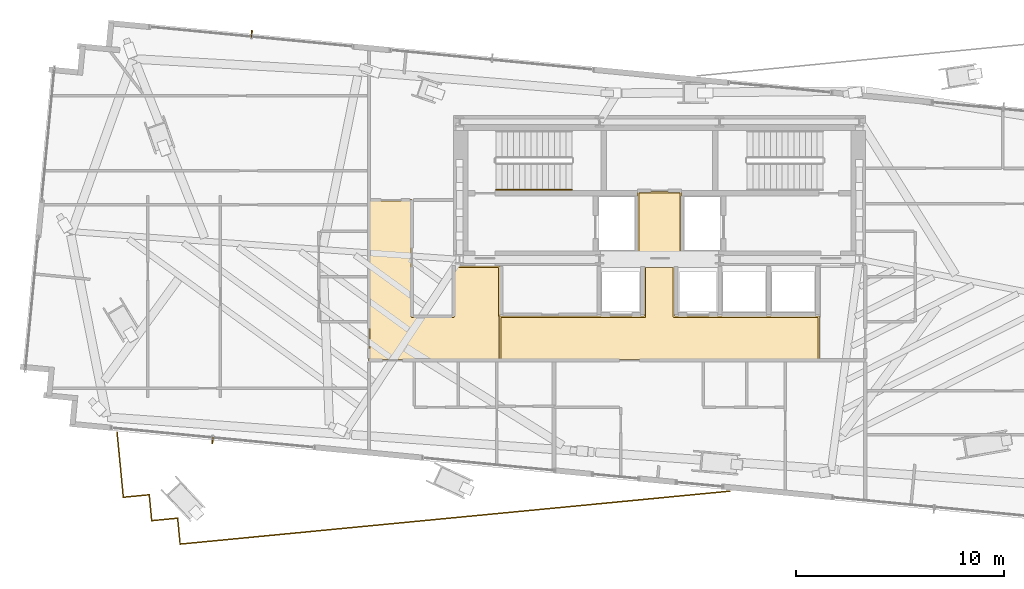
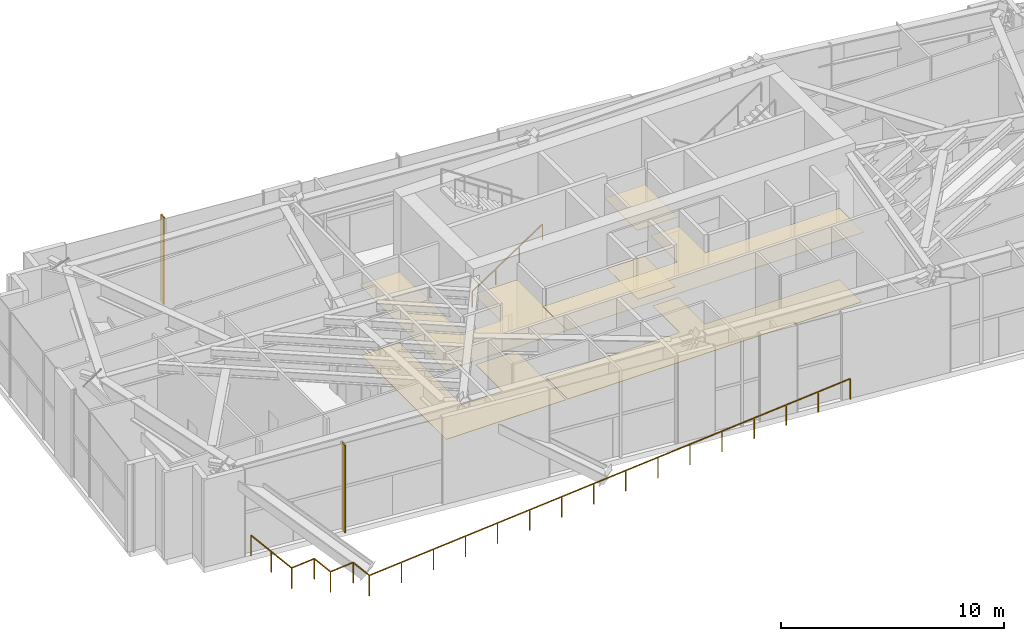
# One storey, part 20 of 23: 6 coverings, 3 railings, 2 shading devices.
"""IFC4 building model written with IfcOpenShell, lengths in metres."""

import ifcopenshell
import ifcopenshell.guid

model = None  # the IFC model being written
_history = None  # IfcOwnerHistory: only IFC2X3 demands one
_inside = {}  # id of a spatial element -> (the spatial element, [elements in it])
_under = {}  # id of a project, library or spatial element -> (it, [spatial elements below it])
_declared = {}  # id of a project -> (the project, [libraries it declares])
_typed = {}  # id of a type object -> (the type object, [elements of that type])
_made_of = {}  # id of a material, layer set ... -> (it, [elements and type objects made of it])


def new_model(schema):
    """Start an empty IFC model of exactly this schema.

    Asked for "IFC4X3", IfcOpenShell would pick the latest addendum, in which some entities
    have other attributes; the version numbers below select the first issue.
    IFC2X3 requires an IfcOwnerHistory on every rooted entity: one is made here for all.
    """
    global model, _history
    if schema == "IFC4X3":
        model = ifcopenshell.file(schema_version=(4, 3, 0, 0))
    else:
        model = ifcopenshell.file(schema=schema)
    _inside.clear()
    _under.clear()
    _declared.clear()
    _typed.clear()
    _made_of.clear()
    _history = None
    if model.schema == "IFC2X3":
        org = make("IfcOrganization", Name="unknown")
        user = make(
            "IfcPersonAndOrganization",
            ThePerson=make("IfcPerson", FamilyName="unknown"),
            TheOrganization=org,
        )
        app = make(
            "IfcApplication",
            ApplicationDeveloper=org,
            Version="unknown",
            ApplicationFullName="unknown",
            ApplicationIdentifier="unknown",
        )
        _history = make(
            "IfcOwnerHistory",
            OwningUser=user,
            OwningApplication=app,
            ChangeAction="ADDED",
            CreationDate=0,
        )
    return model


def make(cls, **values):
    """One entity of the class cls with the attributes given. An attribute that is None is left unset."""
    return model.create_entity(
        cls, **{name: value for name, value in values.items() if value is not None}
    )


def rooted(cls, **values):
    """An entity with a GlobalId (a new one), such as an element, a storey or a relation."""
    return make(cls, GlobalId=ifcopenshell.guid.new(), OwnerHistory=_history, **values)


def si_unit(unit_type, name, prefix=None):
    """IfcSIUnit, for example si_unit("LENGTHUNIT", "METRE", prefix="MILLI")."""
    return make("IfcSIUnit", UnitType=unit_type, Prefix=prefix, Name=name)


def assignment(units):
    """IfcUnitAssignment: the units of a project."""
    return None if units is None else make("IfcUnitAssignment", Units=units)


def point(xyz):
    """IfcCartesianPoint."""
    return None if xyz is None else make("IfcCartesianPoint", Coordinates=xyz)


def direction(xyz):
    """IfcDirection."""
    return None if xyz is None else make("IfcDirection", DirectionRatios=xyz)


def frame(location, z_axis=None, x_axis=None):
    """IfcAxis2Placement3D, a coordinate frame: its origin and axes. An axis left out is left unset."""
    return make(
        "IfcAxis2Placement3D",
        Location=point(location),
        Axis=direction(z_axis),
        RefDirection=direction(x_axis),
    )


def frame_2d(location, x_axis=None):
    """IfcAxis2Placement2D, a coordinate frame in the plane: its origin and x axis."""
    return make(
        "IfcAxis2Placement2D", Location=point(location), RefDirection=direction(x_axis)
    )


def origin():
    """The frame at (0, 0, 0) with its axes left unset."""
    return frame((0.0, 0.0, 0.0))


def origin_2d():
    """The frame at (0, 0) in the plane with its x axis left unset."""
    return frame_2d((0.0, 0.0))


def place(relative_to, where):
    """IfcLocalPlacement: puts the frame where relative to a parent placement (None: the world)."""
    return make(
        "IfcLocalPlacement", PlacementRelTo=relative_to, RelativePlacement=where
    )


def context(
    kind, dimensions, precision=None, world=None, true_north=None, identifier=None
):
    """IfcGeometricRepresentationContext, for example the 3D "Model" context."""
    return make(
        "IfcGeometricRepresentationContext",
        ContextIdentifier=identifier,
        ContextType=kind,
        CoordinateSpaceDimension=dimensions,
        Precision=precision,
        WorldCoordinateSystem=world,
        TrueNorth=true_north,
    )


def subcontext(parent, identifier, kind, view, scale=None):
    """IfcGeometricRepresentationSubContext, for example "Body" below "Model"."""
    return make(
        "IfcGeometricRepresentationSubContext",
        ContextIdentifier=identifier,
        ContextType=kind,
        ParentContext=parent,
        TargetScale=scale,
        TargetView=view,
    )


def project(units=None, contexts=None):
    """IfcProject with its units and contexts."""
    return rooted(
        "IfcProject",
        Name="project",
        RepresentationContexts=contexts,
        UnitsInContext=assignment(units),
    )


def spatial(cls, under=None, at=None, **own):
    """A site, building, storey or space (cls), placed at a placement, below another one or the project."""
    s = rooted(cls, ObjectPlacement=at, **own)
    if under is not None:
        _under.setdefault(under.id(), (under, []))[1].append(s)
    return s


def polyline(points):
    """IfcPolyline through the points."""
    return make("IfcPolyline", Points=[point(p) for p in points])


def profile(cls, at=None, kind="AREA", **sizes):
    """A parametric profile (cls). Its sizes go by their IFC names, for example OverallWidth=200.0."""
    return make(cls, ProfileType=kind, Position=at, **sizes)


def rectangle(**sizes):
    """IfcRectangleProfileDef."""
    return profile("IfcRectangleProfileDef", **sizes)


def outline(outer, holes=None, kind="AREA"):
    """IfcArbitraryClosedProfileDef: a profile drawn as a closed curve; with holes, ...WithVoids."""
    if holes is None:
        return make("IfcArbitraryClosedProfileDef", ProfileType=kind, OuterCurve=outer)
    return make(
        "IfcArbitraryProfileDefWithVoids",
        ProfileType=kind,
        OuterCurve=outer,
        InnerCurves=holes,
    )


def extrude(swept, where, along, depth):
    """IfcExtrudedAreaSolid: the profile swept, set in the frame where, extruded along a direction by depth."""
    return make(
        "IfcExtrudedAreaSolid",
        SweptArea=swept,
        Position=where,
        ExtrudedDirection=direction(along),
        Depth=depth,
    )


def shape(context_of_items, identifier, shape_type, items):
    """IfcShapeRepresentation: the items that make up one representation, for example the "Body"."""
    return make(
        "IfcShapeRepresentation",
        ContextOfItems=context_of_items,
        RepresentationIdentifier=identifier,
        RepresentationType=shape_type,
        Items=items,
    )


def source(mapping_origin, context_of_items, identifier, shape_type, items):
    """IfcRepresentationMap: a shape defined once, which mapped items show again and again."""
    return make(
        "IfcRepresentationMap",
        MappingOrigin=mapping_origin,
        MappedRepresentation=shape(context_of_items, identifier, shape_type, items),
    )


def transform(
    local_origin,
    x_axis=None,
    y_axis=None,
    z_axis=None,
    scale=None,
    scale2=None,
    scale3=None,
    uniform=True,
):
    """IfcCartesianTransformationOperator3D, or its non-uniform kind. x_axis, y_axis, z_axis: its Axis1, 2, 3."""
    if uniform:
        return make(
            "IfcCartesianTransformationOperator3D",
            Axis1=direction(x_axis),
            Axis2=direction(y_axis),
            LocalOrigin=point(local_origin),
            Scale=scale,
            Axis3=direction(z_axis),
        )
    return make(
        "IfcCartesianTransformationOperator3DnonUniform",
        Axis1=direction(x_axis),
        Axis2=direction(y_axis),
        LocalOrigin=point(local_origin),
        Scale=scale,
        Axis3=direction(z_axis),
        Scale2=scale2,
        Scale3=scale3,
    )


def mapped(mapping_source, mapping_target):
    """IfcMappedItem: shows the shape of a source again, moved by a transform."""
    return make(
        "IfcMappedItem", MappingSource=mapping_source, MappingTarget=mapping_target
    )


def material(Name=None, Category=None):
    """IfcMaterial."""
    return make("IfcMaterial", Name=Name, Category=Category)


def layer(
    of_material, thickness, ventilated=None, Name=None, Category=None, Priority=None
):
    """IfcMaterialLayer: one layer of a wall or slab, of a material (None: an air gap)."""
    return make(
        "IfcMaterialLayer",
        Material=of_material,
        LayerThickness=thickness,
        IsVentilated=ventilated,
        Name=Name,
        Category=Category,
        Priority=Priority,
    )


def layer_set(layers, Name=None):
    """IfcMaterialLayerSet."""
    return make("IfcMaterialLayerSet", MaterialLayers=layers, LayerSetName=Name)


def made_of(thing, what):
    """Note that an element or type object is made of a material, layer set ...; save() writes the relation."""
    if what is not None:
        _made_of.setdefault(what.id(), (what, []))[1].append(thing)
    return thing


def type_object(cls, material=None, **own):
    """A type object (cls), such as IfcWallType, which elements share."""
    return made_of(rooted(cls, **own), material)


def type_shapes(of_type, sources):
    """Give a type object the sources (RepresentationMaps) that its elements show as mapped items."""
    of_type.RepresentationMaps = sources


def element(
    cls,
    number,
    at=None,
    inside=None,
    cuts=None,
    type_object=None,
    material=None,
    context=None,
    identifier="Body",
    shape_type=None,
    held_by="IfcProductDefinitionShape",
    body=None,
    shapes=None,
    **own,
):
    """One element of the class cls, such as IfcWall. Its Tag is "e" and its number.

    at: its placement. inside: the storey or other place that contains it. cuts: it is an
    opening in that element (IfcRelVoidsElement). A single representation is given by context,
    identifier, shape_type and body (its items); several are given by shapes. held_by: the class
    of the entity that holds the representations. save() writes the other relations.
    """
    e = rooted(cls, Tag="e%d" % number, ObjectPlacement=at, **own)
    if body is not None:
        shapes = [shape(context, identifier, shape_type, body)]
    if shapes is not None:
        e.Representation = make(held_by, Representations=shapes)
    if inside is not None:
        _inside.setdefault(inside.id(), (inside, []))[1].append(e)
    if cuts is not None:
        rooted(
            "IfcRelVoidsElement", RelatingBuildingElement=cuts, RelatedOpeningElement=e
        )
    if type_object is not None:
        _typed.setdefault(type_object.id(), (type_object, []))[1].append(e)
    return made_of(e, material)


def aggregate(whole, parts):
    """IfcRelAggregates: a whole, such as a stair, and the parts it consists of."""
    return rooted("IfcRelAggregates", RelatingObject=whole, RelatedObjects=parts)


def save(model, path):
    """Write the relations noted so far, then the file.

    IfcRelAggregates (storeys below a building ...), IfcRelContainedInSpatialStructure (elements
    in a storey), IfcRelDefinesByType, IfcRelAssociatesMaterial and IfcRelDeclares: one each for
    every whole, place, type object, material and project.
    """
    for whole, parts in _under.values():
        aggregate(whole, parts)
    for where, things in _inside.values():
        rooted(
            "IfcRelContainedInSpatialStructure",
            RelatedElements=things,
            RelatingStructure=where,
        )
    for kind, things in _typed.values():
        rooted("IfcRelDefinesByType", RelatedObjects=things, RelatingType=kind)
    for what, things in _made_of.values():
        rooted("IfcRelAssociatesMaterial", RelatedObjects=things, RelatingMaterial=what)
    for by, libraries in _declared.values():
        rooted("IfcRelDeclares", RelatingContext=by, RelatedDefinitions=libraries)
    model.write(path)


model = new_model("IFC4")

# Units and contexts
model_context = context("Model", 3, precision=1e-05, world=origin(), true_north=direction((0.0, 1.0)))
body_context = subcontext(model_context, "Body", "Model", "MODEL_VIEW")
ifc_project = project(units=[si_unit("LENGTHUNIT", "METRE"), si_unit("AREAUNIT", "SQUARE_METRE"), si_unit("VOLUMEUNIT", "CUBIC_METRE"), si_unit("PLANEANGLEUNIT", "RADIAN"), si_unit("MASSUNIT", "GRAM", prefix="KILO")], contexts=[model_context])

# Site, building, storey
site_placement = place(None, origin())
site = spatial("IfcSite", under=ifc_project, at=site_placement, CompositionType="ELEMENT")
building_placement = place(site_placement, origin())
building = spatial("IfcBuilding", under=site, at=building_placement, Name="Astriad Promenade Condominiums", CompositionType="ELEMENT")
storey_placement = place(building_placement, frame((0.0, 0.0, 119.39990234375)))
storey = spatial("IfcBuildingStorey", under=building, at=storey_placement, Name="L34", CompositionType="ELEMENT", Elevation=119.39990234375)

# Coverings
ifc_material_1 = material(Name="Mineral-Fibre Acoustic Ceiling Tile")
ifc_layer_1 = layer(ifc_material_1, 0.02490234375)
ifc_layer_set_1 = layer_set([ifc_layer_1], Name="Mineral-Fibre Acoustic Ceiling Tile")
covering_type_1 = type_object("IfcCoveringType", Name="COV-CEIL-ACOUSTIC-25", PredefinedType="CEILING", material=ifc_layer_set_1)
covering_1_placement = place(storey_placement, frame((0.0, 0.0, 3.835205078125)))
element("IfcCovering", 1, at=covering_1_placement, inside=storey, type_object=covering_type_1, Name="CEIL-L34-CSL", PredefinedType="CEILING", context=body_context, shape_type="SweptSolid", body=[
    extrude(outline(polyline([(34.97998046875, 17.719970703125), (34.97705078125, 17.72021484375), (34.97412109375, 17.720703125), (34.97119140625, 17.72119140625), (34.968505859375, 17.722412109375), (34.9658203125, 17.723388671875), (34.96337890625, 17.72509765625), (34.9609375, 17.726806640625), (34.958740234375, 17.728759765625), (34.956787109375, 17.73095703125), (34.955078125, 17.7333984375), (34.95361328125, 17.73583984375), (34.952392578125, 17.738525390625), (34.951416015625, 17.7412109375), (34.95068359375, 17.744140625), (34.9501953125, 17.7470703125), (34.949951171875, 17.75), (34.949951171875, 20.6201171875), (34.9501953125, 20.622802734375), (34.95068359375, 20.6259765625), (34.951416015625, 20.628662109375), (34.952392578125, 20.631591796875), (34.95361328125, 20.634033203125), (34.955078125, 20.63671875), (34.956787109375, 20.638916015625), (34.958740234375, 20.64111328125), (34.9609375, 20.643310546875), (34.96337890625, 20.64501953125), (34.9658203125, 20.646484375), (34.968505859375, 20.647705078125), (34.97119140625, 20.648681640625), (34.97412109375, 20.6494140625), (34.97705078125, 20.64990234375), (34.97998046875, 20.64990234375), (37.02001953125, 20.64990234375), (37.02294921875, 20.64990234375), (37.02587890625, 20.6494140625), (37.02880859375, 20.648681640625), (37.031494140625, 20.647705078125), (37.0341796875, 20.646484375), (37.03662109375, 20.64501953125), (37.0390625, 20.643310546875), (37.041259765625, 20.64111328125), (37.043212890625, 20.638916015625), (37.044921875, 20.63671875), (37.04638671875, 20.634033203125), (37.047607421875, 20.631591796875), (37.048583984375, 20.628662109375), (37.04931640625, 20.6259765625), (37.0498046875, 20.622802734375), (37.050048828125, 20.6201171875), (37.050048828125, 17.75), (37.0498046875, 17.7470703125), (37.04931640625, 17.744140625), (37.048583984375, 17.7412109375), (37.047607421875, 17.738525390625), (37.04638671875, 17.73583984375), (37.044921875, 17.7333984375), (37.043212890625, 17.73095703125), (37.041259765625, 17.728759765625), (37.0390625, 17.726806640625), (37.03662109375, 17.72509765625), (37.0341796875, 17.723388671875), (37.031494140625, 17.722412109375), (37.02880859375, 17.72119140625), (37.02587890625, 17.720703125), (37.02294921875, 17.72021484375), (37.02001953125, 17.719970703125), (34.97998046875, 17.719970703125)])), origin(), (0.0, 0.0, 1.0), 0.02490234375),
])
covering_2_placement = place(storey_placement, frame((0.0, 0.0, 3.835205078125)))
element("IfcCovering", 2, at=covering_2_placement, inside=storey, type_object=covering_type_1, Name="CEIL-L34-LLB", PredefinedType="CEILING", context=body_context, shape_type="SweptSolid", body=[
    extrude(outline(polyline([(35.27001953125, 14.679931640625), (35.27001953125, 17.050048828125), (35.27001953125, 17.052978515625), (35.2705078125, 17.055908203125), (35.271240234375, 17.05859375), (35.272216796875, 17.0615234375), (35.2734375, 17.064208984375), (35.275146484375, 17.066650390625), (35.27685546875, 17.069091796875), (35.27880859375, 17.0712890625), (35.281005859375, 17.0732421875), (35.283203125, 17.074951171875), (35.285888671875, 17.076416015625), (35.28857421875, 17.07763671875), (35.291259765625, 17.07861328125), (35.294189453125, 17.079345703125), (35.297119140625, 17.079833984375), (35.300048828125, 17.080078125), (36.699951171875, 17.080078125), (36.702880859375, 17.079833984375), (36.705810546875, 17.079345703125), (36.708740234375, 17.07861328125), (36.71142578125, 17.07763671875), (36.714111328125, 17.076416015625), (36.716796875, 17.074951171875), (36.718994140625, 17.0732421875), (36.72119140625, 17.0712890625), (36.72314453125, 17.069091796875), (36.724853515625, 17.066650390625), (36.7265625, 17.064208984375), (36.727783203125, 17.0615234375), (36.728759765625, 17.05859375), (36.7294921875, 17.055908203125), (36.72998046875, 17.052978515625), (36.72998046875, 17.050048828125), (36.72998046875, 14.679931640625), (43.64990234375, 14.679931640625), (43.65283203125, 14.679931640625), (43.656005859375, 14.679443359375), (43.65869140625, 14.6787109375), (43.66162109375, 14.677734375), (43.6640625, 14.676513671875), (43.666748046875, 14.6748046875), (43.6689453125, 14.673095703125), (43.671142578125, 14.671142578125), (43.673095703125, 14.6689453125), (43.6748046875, 14.666748046875), (43.676513671875, 14.6640625), (43.677734375, 14.66162109375), (43.6787109375, 14.65869140625), (43.679443359375, 14.656005859375), (43.679931640625, 14.65283203125), (43.679931640625, 14.64990234375), (43.679931640625, 12.550048828125), (43.679931640625, 12.547119140625), (43.679443359375, 12.544189453125), (43.6787109375, 12.541259765625), (43.677734375, 12.53857421875), (43.676513671875, 12.535888671875), (43.6748046875, 12.533203125), (43.673095703125, 12.531005859375), (43.671142578125, 12.52880859375), (43.6689453125, 12.52685546875), (43.666748046875, 12.525146484375), (43.6640625, 12.5234375), (43.66162109375, 12.522216796875), (43.65869140625, 12.521240234375), (43.656005859375, 12.5205078125), (43.65283203125, 12.52001953125), (43.64990234375, 12.52001953125), (28.35009765625, 12.52001953125), (28.34716796875, 12.52001953125), (28.343994140625, 12.5205078125), (28.34130859375, 12.521240234375), (28.33837890625, 12.522216796875), (28.3359375, 12.5234375), (28.333251953125, 12.525146484375), (28.3310546875, 12.52685546875), (28.328857421875, 12.52880859375), (28.326904296875, 12.531005859375), (28.3251953125, 12.533203125), (28.323486328125, 12.535888671875), (28.322265625, 12.53857421875), (28.3212890625, 12.541259765625), (28.320556640625, 12.544189453125), (28.320068359375, 12.547119140625), (28.320068359375, 12.550048828125), (28.320068359375, 14.659912109375), (28.320068359375, 14.662841796875), (28.320556640625, 14.666015625), (28.3212890625, 14.668701171875), (28.322265625, 14.67138671875), (28.323486328125, 14.674072265625), (28.3251953125, 14.6767578125), (28.326904296875, 14.678955078125), (28.328857421875, 14.68115234375), (28.3310546875, 14.68310546875), (28.333251953125, 14.684814453125), (28.3359375, 14.6865234375), (28.33837890625, 14.687744140625), (28.34130859375, 14.688720703125), (28.343994140625, 14.689453125), (28.34716796875, 14.68994140625), (28.35009765625, 14.68994140625), (33.0, 14.68994140625), (33.0029296875, 14.68994140625), (33.005859375, 14.689453125), (33.0087890625, 14.688720703125), (33.011474609375, 14.687744140625), (33.01416015625, 14.6865234375), (33.0166015625, 14.684814453125), (33.01904296875, 14.68310546875), (33.021240234375, 14.68115234375), (33.022216796875, 14.679931640625), (35.27001953125, 14.679931640625)])), origin(), (0.0, 0.0, 1.0), 0.02490234375),
])
covering_3_placement = place(storey_placement, frame((0.0, 0.0, 3.835205078125)))
element("IfcCovering", 3, at=covering_3_placement, inside=storey, type_object=covering_type_1, Name="CEIL-L34-COR-2", PredefinedType="CEILING", context=body_context, shape_type="SweptSolid", body=[
    extrude(outline(polyline([(22.047119140625, 12.52001953125), (22.044189453125, 12.5205078125), (22.041259765625, 12.521240234375), (22.03857421875, 12.522216796875), (22.035888671875, 12.5234375), (22.033203125, 12.525146484375), (22.031005859375, 12.52685546875), (22.02880859375, 12.52880859375), (22.02685546875, 12.531005859375), (22.025146484375, 12.533203125), (22.0234375, 12.535888671875), (22.022216796875, 12.53857421875), (22.021240234375, 12.541259765625), (22.0205078125, 12.544189453125), (22.02001953125, 12.547119140625), (22.02001953125, 12.550048828125), (22.02001953125, 20.25), (22.02001953125, 20.2529296875), (22.0205078125, 20.255859375), (22.021240234375, 20.2587890625), (22.022216796875, 20.261474609375), (22.0234375, 20.26416015625), (22.025146484375, 20.2666015625), (22.02685546875, 20.26904296875), (22.02880859375, 20.271240234375), (22.031005859375, 20.273193359375), (22.033203125, 20.27490234375), (22.035888671875, 20.276611328125), (22.03857421875, 20.277587890625), (22.041259765625, 20.27880859375), (22.044189453125, 20.279296875), (22.047119140625, 20.27978515625), (22.050048828125, 20.280029296875), (24.10009765625, 20.280029296875), (24.102783203125, 20.27978515625), (24.10595703125, 20.279296875), (24.108642578125, 20.27880859375), (24.111572265625, 20.277587890625), (24.114013671875, 20.276611328125), (24.11669921875, 20.27490234375), (24.118896484375, 20.273193359375), (24.12109375, 20.271240234375), (24.123291015625, 20.26904296875), (24.125, 20.2666015625), (24.12646484375, 20.26416015625), (24.127685546875, 20.261474609375), (24.128662109375, 20.2587890625), (24.12939453125, 20.255859375), (24.1298828125, 20.2529296875), (24.1298828125, 20.25), (24.1298828125, 14.68994140625), (26.090087890625, 14.68994140625), (26.090087890625, 17.050048828125), (26.090087890625, 17.052978515625), (26.090576171875, 17.055908203125), (26.09130859375, 17.05859375), (26.09228515625, 17.0615234375), (26.093505859375, 17.064208984375), (26.09521484375, 17.066650390625), (26.0966796875, 17.069091796875), (26.098876953125, 17.0712890625), (26.10107421875, 17.0732421875), (26.103271484375, 17.074951171875), (26.10595703125, 17.076416015625), (26.1083984375, 17.07763671875), (26.111328125, 17.07861328125), (26.114013671875, 17.079345703125), (26.1171875, 17.079833984375), (26.1201171875, 17.080078125), (28.320068359375, 17.080078125), (28.322998046875, 17.079833984375), (28.325927734375, 17.079345703125), (28.32861328125, 17.07861328125), (28.33154296875, 17.07763671875), (28.333984375, 17.076416015625), (28.336669921875, 17.074951171875), (28.339111328125, 17.0732421875), (28.34130859375, 17.0712890625), (28.34326171875, 17.069091796875), (28.344970703125, 17.066650390625), (28.346435546875, 17.064208984375), (28.34765625, 17.0615234375), (28.3486328125, 17.05859375), (28.349365234375, 17.055908203125), (28.349853515625, 17.052978515625), (28.35009765625, 17.050048828125), (28.35009765625, 14.7099609375), (28.34912109375, 14.7099609375), (28.34619140625, 14.709716796875), (28.343994140625, 14.709716796875), (28.34130859375, 14.709228515625), (28.33935546875, 14.708740234375), (28.33642578125, 14.7080078125), (28.334716796875, 14.70751953125), (28.331787109375, 14.70654296875), (28.330078125, 14.705810546875), (28.327392578125, 14.70458984375), (28.32568359375, 14.70361328125), (28.322998046875, 14.7021484375), (28.3212890625, 14.700927734375), (28.319091796875, 14.69921875), (28.3173828125, 14.697998046875), (28.3154296875, 14.696044921875), (28.31396484375, 14.694580078125), (28.31201171875, 14.6923828125), (28.310791015625, 14.69091796875), (28.30908203125, 14.688720703125), (28.307861328125, 14.68701171875), (28.306396484375, 14.684326171875), (28.305419921875, 14.6826171875), (28.30419921875, 14.679931640625), (28.303466796875, 14.67822265625), (28.302490234375, 14.67529296875), (28.302001953125, 14.673583984375), (28.30126953125, 14.670654296875), (28.30078125, 14.668701171875), (28.30029296875, 14.666015625), (28.30029296875, 14.663818359375), (28.300048828125, 14.660888671875), (28.300048828125, 14.659912109375), (28.300048828125, 12.550048828125), (28.300048828125, 12.549072265625), (28.30029296875, 12.546142578125), (28.30029296875, 12.544189453125), (28.30078125, 12.541259765625), (28.30126953125, 12.539306640625), (28.302001953125, 12.536376953125), (28.302490234375, 12.53466796875), (28.303466796875, 12.53173828125), (28.30419921875, 12.530029296875), (28.305419921875, 12.52734375), (28.306396484375, 12.525634765625), (28.307861328125, 12.523193359375), (28.30908203125, 12.521484375), (28.31005859375, 12.52001953125), (22.050048828125, 12.52001953125), (22.047119140625, 12.52001953125)])), origin(), (0.0, 0.0, 1.0), 0.02490234375),
])
ifc_material_2 = material(Name="Polished Lakefront Terrazzo Flooring")
ifc_layer_2 = layer(ifc_material_2, 0.02001953125)
ifc_layer_set_2 = layer_set([ifc_layer_2], Name="Polished Lakefront Terrazzo Flooring")
covering_type_2 = type_object("IfcCoveringType", Name="COV-FLOR-TERRAZZO-20", PredefinedType="FLOORING", material=ifc_layer_set_2)
covering_4_placement = place(storey_placement, origin())
element("IfcCovering", 4, at=covering_4_placement, inside=storey, type_object=covering_type_2, Name="FLR-L34-CSL", PredefinedType="FLOORING", context=body_context, shape_type="SweptSolid", body=[
    extrude(outline(polyline([(36.97998046875, 17.7900390625), (35.02001953125, 17.7900390625), (35.02001953125, 20.580078125), (36.97998046875, 20.580078125), (36.97998046875, 17.7900390625)])), origin(), (0.0, 0.0, 1.0), 0.02001953125),
])
covering_5_placement = place(storey_placement, origin())
element("IfcCovering", 5, at=covering_5_placement, inside=storey, type_object=covering_type_2, Name="FLR-L34-LLB", PredefinedType="FLOORING", context=body_context, shape_type="SweptSolid", body=[
    extrude(outline(polyline([(32.9736328125, 14.6201171875), (32.974609375, 14.619140625), (32.977783203125, 14.61669921875), (32.981201171875, 14.61474609375), (32.984619140625, 14.613037109375), (32.98828125, 14.61181640625), (32.9921875, 14.61083984375), (32.99609375, 14.610107421875), (33.0, 14.610107421875), (35.300048828125, 14.610107421875), (35.303955078125, 14.610107421875), (35.307861328125, 14.61083984375), (35.3115234375, 14.61181640625), (35.315185546875, 14.613037109375), (35.31884765625, 14.61474609375), (35.322265625, 14.61669921875), (35.325439453125, 14.619140625), (35.328369140625, 14.62158203125), (35.330810546875, 14.62451171875), (35.333251953125, 14.627685546875), (35.335205078125, 14.631103515625), (35.3369140625, 14.634765625), (35.33837890625, 14.638427734375), (35.339111328125, 14.64208984375), (35.33984375, 14.64599609375), (35.340087890625, 14.64990234375), (35.340087890625, 17.010009765625), (36.659912109375, 17.010009765625), (36.659912109375, 14.64990234375), (36.66015625, 14.64599609375), (36.660888671875, 14.64208984375), (36.66162109375, 14.638427734375), (36.6630859375, 14.634765625), (36.664794921875, 14.631103515625), (36.666748046875, 14.627685546875), (36.669189453125, 14.62451171875), (36.671630859375, 14.62158203125), (36.674560546875, 14.619140625), (36.677734375, 14.61669921875), (36.68115234375, 14.61474609375), (36.684814453125, 14.613037109375), (36.6884765625, 14.61181640625), (36.692138671875, 14.61083984375), (36.696044921875, 14.610107421875), (36.699951171875, 14.610107421875), (43.610107421875, 14.610107421875), (43.610107421875, 12.590087890625), (28.389892578125, 12.590087890625), (28.389892578125, 14.6201171875), (32.9736328125, 14.6201171875)])), origin(), (0.0, 0.0, 1.0), 0.02001953125),
])
covering_6_placement = place(storey_placement, origin())
element("IfcCovering", 6, at=covering_6_placement, inside=storey, type_object=covering_type_2, Name="FLR-L34-COR-2", PredefinedType="FLOORING", context=body_context, shape_type="SweptSolid", body=[
    extrude(outline(polyline([(28.300048828125, 12.590087890625), (22.090087890625, 12.590087890625), (22.090087890625, 20.2099609375), (24.06005859375, 20.2099609375), (24.06005859375, 14.659912109375), (24.060302734375, 14.656005859375), (24.060791015625, 14.652099609375), (24.061767578125, 14.6484375), (24.06298828125, 14.644775390625), (24.064697265625, 14.64111328125), (24.066650390625, 14.6376953125), (24.069091796875, 14.634521484375), (24.07177734375, 14.631591796875), (24.07470703125, 14.629150390625), (24.077880859375, 14.626708984375), (24.0810546875, 14.624755859375), (24.084716796875, 14.623046875), (24.08837890625, 14.62158203125), (24.09228515625, 14.620849609375), (24.09619140625, 14.6201171875), (24.10009765625, 14.6201171875), (26.1201171875, 14.6201171875), (26.123779296875, 14.6201171875), (26.127685546875, 14.620849609375), (26.131591796875, 14.62158203125), (26.13525390625, 14.623046875), (26.138916015625, 14.624755859375), (26.14208984375, 14.626708984375), (26.1455078125, 14.629150390625), (26.148193359375, 14.631591796875), (26.15087890625, 14.634521484375), (26.1533203125, 14.6376953125), (26.1552734375, 14.64111328125), (26.156982421875, 14.644775390625), (26.158203125, 14.6484375), (26.1591796875, 14.652099609375), (26.159912109375, 14.656005859375), (26.159912109375, 14.659912109375), (26.159912109375, 17.010009765625), (28.280029296875, 17.010009765625), (28.280029296875, 14.659912109375), (28.2802734375, 14.656005859375), (28.28076171875, 14.652099609375), (28.28173828125, 14.6484375), (28.282958984375, 14.644775390625), (28.28466796875, 14.64111328125), (28.28662109375, 14.6376953125), (28.2890625, 14.634521484375), (28.291748046875, 14.631591796875), (28.294677734375, 14.629150390625), (28.2978515625, 14.626708984375), (28.300048828125, 14.62548828125), (28.300048828125, 12.590087890625)])), origin(), (0.0, 0.0, 1.0), 0.02001953125),
])

# Railings
ifc_material_3 = material(Name="Anodised Aluminium and Glass Terrace Guardrail", Category="aluminium")
railing_type_1 = type_object("IfcRailingType", Name="GRD-TERR-1150", PredefinedType="GUARDRAIL", material=ifc_material_3)
shared_shape_1 = source(origin(), body_context, "Body", "SweptSolid", [
    extrude(rectangle(XDim=0.048095703125, YDim=0.048095703125, at=origin_2d()), frame((0.0, 0.0, 1.1259765625), z_axis=(-0.9954090291, -0.095712406644, 0.0), x_axis=(0.095712406644, -0.9954090291, 0.0)), (0.0, 0.0, 1.0), 1.25),
    extrude(rectangle(XDim=0.048095703125, YDim=0.048095703125, at=origin_2d()), frame((-1.244140625, -0.11962890625, 1.1259765625), z_axis=(-0.09590594325, 0.995390400822, 0.0), x_axis=(-0.995390400822, -0.09590594325, 0.0)), (0.0, 0.0, 1.0), 1.25),
    extrude(rectangle(XDim=0.048095703125, YDim=0.048095703125, at=origin_2d()), frame((-1.364013671875, 1.12451171875, 1.1259765625), z_axis=(-0.995390400822, -0.09590594325, 0.0), x_axis=(0.09590594325, -0.995390400822, 0.0)), (0.0, 0.0, 1.0), 1.25),
    extrude(rectangle(XDim=0.048095703125, YDim=0.048095703125, at=origin_2d()), frame((-2.608154296875, 1.004638671875, 1.1259765625), z_axis=(-0.09585461267, 0.995395345192, 0.0), x_axis=(-0.995395345192, -0.09585461267, 0.0)), (0.0, 0.0, 1.0), 3.140380859375),
    extrude(rectangle(XDim=0.0419921875, YDim=0.0419921875, at=origin_2d()), origin(), (0.0, 0.0, 1.0), 1.101806640625),
    extrude(rectangle(XDim=0.0419921875, YDim=0.0419921875, at=origin_2d()), frame((-1.244140625, -0.11962890625, 0.0)), (0.0, 0.0, 1.0), 1.101806640625),
    extrude(rectangle(XDim=0.0419921875, YDim=0.0419921875, at=origin_2d()), frame((-1.364013671875, 1.12451171875, 0.0)), (0.0, 0.0, 1.0), 1.101806640625),
    extrude(rectangle(XDim=0.0419921875, YDim=0.0419921875, at=origin_2d()), frame((-2.608154296875, 1.004638671875, 0.0)), (0.0, 0.0, 1.0), 1.101806640625),
    extrude(rectangle(XDim=0.0419921875, YDim=0.0419921875, at=origin_2d()), frame((-2.7587890625, 2.567626953125, 0.0)), (0.0, 0.0, 1.0), 1.101806640625),
    extrude(rectangle(XDim=0.0419921875, YDim=0.0419921875, at=origin_2d()), frame((-2.9091796875, 4.130615234375, 0.0)), (0.0, 0.0, 1.0), 1.101806640625),
])
railing_1_placement = place(storey_placement, frame((12.8642578125, 4.9736328125, 0.0)))
element("IfcRailing", 7, at=railing_1_placement, inside=storey, type_object=railing_type_1, Name="GRD-TSTEP-L34-01", PredefinedType="GUARDRAIL", context=body_context, shape_type="MappedRepresentation", body=[
    mapped(shared_shape_1, transform((0.0, 0.0, 0.0), scale=1.0)),
])
shared_shape_2 = source(origin(), body_context, "Body", "SweptSolid", [
    extrude(rectangle(XDim=0.048095703125, YDim=0.048095703125, at=origin_2d()), frame((0.0, 0.0, 1.1259765625), z_axis=(-0.995396368909, -0.095843981356, 0.0), x_axis=(0.095843981356, -0.995396368909, 0.0)), (0.0, 0.0, 1.0), 26.51708984375),
    extrude(rectangle(XDim=0.048095703125, YDim=0.048095703125, at=origin_2d()), frame((-26.39501953125, -2.54150390625, 1.1259765625), z_axis=(-0.09590594325, 0.995390400822, 0.0), x_axis=(-0.995390400822, -0.09590594325, 0.0)), (0.0, 0.0, 1.0), 1.25),
    extrude(rectangle(XDim=0.0419921875, YDim=0.0419921875, at=origin_2d()), origin(), (0.0, 0.0, 1.0), 1.101806640625),
    extrude(rectangle(XDim=0.0419921875, YDim=0.0419921875, at=origin_2d()), frame((-1.759765625, -0.16943359375, 0.0)), (0.0, 0.0, 1.0), 1.101806640625),
    extrude(rectangle(XDim=0.0419921875, YDim=0.0419921875, at=origin_2d()), frame((-3.519287109375, -0.3388671875, 0.0)), (0.0, 0.0, 1.0), 1.101806640625),
    extrude(rectangle(XDim=0.0419921875, YDim=0.0419921875, at=origin_2d()), frame((-5.279052734375, -0.50830078125, 0.0)), (0.0, 0.0, 1.0), 1.101806640625),
    extrude(rectangle(XDim=0.0419921875, YDim=0.0419921875, at=origin_2d()), frame((-7.03857421875, -0.677734375, 0.0)), (0.0, 0.0, 1.0), 1.101806640625),
    extrude(rectangle(XDim=0.0419921875, YDim=0.0419921875, at=origin_2d()), frame((-8.79833984375, -0.84716796875, 0.0)), (0.0, 0.0, 1.0), 1.101806640625),
    extrude(rectangle(XDim=0.0419921875, YDim=0.0419921875, at=origin_2d()), frame((-10.55810546875, -1.0166015625, 0.0)), (0.0, 0.0, 1.0), 1.101806640625),
    extrude(rectangle(XDim=0.0419921875, YDim=0.0419921875, at=origin_2d()), frame((-12.317626953125, -1.18603515625, 0.0)), (0.0, 0.0, 1.0), 1.101806640625),
    extrude(rectangle(XDim=0.0419921875, YDim=0.0419921875, at=origin_2d()), frame((-14.077392578125, -1.35546875, 0.0)), (0.0, 0.0, 1.0), 1.101806640625),
    extrude(rectangle(XDim=0.0419921875, YDim=0.0419921875, at=origin_2d()), frame((-15.8369140625, -1.52490234375, 0.0)), (0.0, 0.0, 1.0), 1.101806640625),
    extrude(rectangle(XDim=0.0419921875, YDim=0.0419921875, at=origin_2d()), frame((-17.5966796875, -1.6943359375, 0.0)), (0.0, 0.0, 1.0), 1.101806640625),
    extrude(rectangle(XDim=0.0419921875, YDim=0.0419921875, at=origin_2d()), frame((-19.3564453125, -1.86376953125, 0.0)), (0.0, 0.0, 1.0), 1.101806640625),
    extrude(rectangle(XDim=0.0419921875, YDim=0.0419921875, at=origin_2d()), frame((-21.115966796875, -2.033203125, 0.0)), (0.0, 0.0, 1.0), 1.101806640625),
    extrude(rectangle(XDim=0.0419921875, YDim=0.0419921875, at=origin_2d()), frame((-22.875732421875, -2.20263671875, 0.0)), (0.0, 0.0, 1.0), 1.101806640625),
    extrude(rectangle(XDim=0.0419921875, YDim=0.0419921875, at=origin_2d()), frame((-24.63525390625, -2.3720703125, 0.0)), (0.0, 0.0, 1.0), 1.101806640625),
    extrude(rectangle(XDim=0.0419921875, YDim=0.0419921875, at=origin_2d()), frame((-26.39501953125, -2.54150390625, 0.0)), (0.0, 0.0, 1.0), 1.101806640625),
    extrude(rectangle(XDim=0.0419921875, YDim=0.0419921875, at=origin_2d()), frame((-26.514892578125, -1.29736328125, 0.0)), (0.0, 0.0, 1.0), 1.101806640625),
])
type_shapes(railing_type_1, [shared_shape_1, shared_shape_2])
railing_2_placement = place(storey_placement, frame((39.379150390625, 6.27099609375, 0.0)))
element("IfcRailing", 8, at=railing_2_placement, inside=storey, type_object=railing_type_1, Name="GRD-TSTEP-L34-02", PredefinedType="GUARDRAIL", context=body_context, shape_type="MappedRepresentation", body=[
    mapped(shared_shape_2, transform((0.0, 0.0, 0.0), scale=1.0)),
])

# Shading devices
ifc_material_4 = material(Name="Anodised aluminium 6063-T6 Black Fin", Category="aluminium")
shading_device_type = type_object("IfcShadingDeviceType", Name="FIN-BLACK-260", PredefinedType="USERDEFINED", material=ifc_material_4)
shared_shape_3 = source(origin(), body_context, "Body", "SweptSolid", [
    extrude(rectangle(XDim=0.06494140625, YDim=0.320068359375, at=origin_2d()), origin(), (0.0, 0.0, 1.0), 4.780029296875),
])
type_shapes(shading_device_type, [shared_shape_3])
for number, where, z_axis, x_axis, name in (
    (9, (16.42041015625, 28.232666015625, 0.0), (0.0, 0.0, 1.0), (0.995396198367, -0.09584575252, 0.0), "CW-L34-N-1-FIN-01"),
    (10, (14.539794921875, 8.702880859375, 0.0), (0.0, 0.0, 1.0), (-0.995396198367, 0.09584575252, 0.0), "CW-L34-S-5-FIN-01"),
):
    element("IfcShadingDevice", number, at=place(storey_placement, frame(where, z_axis=z_axis, x_axis=x_axis)), inside=storey, type_object=shading_device_type, Name=name, ObjectType="FIN", PredefinedType="USERDEFINED", context=body_context, shape_type="MappedRepresentation", body=[
        mapped(shared_shape_3, transform((0.0, 0.0, 0.0), scale=1.0)),
    ])

# Railing
ifc_material_5 = material(Name="Brushed Stainless Steel Handrail", Category="steel")
railing_type_2 = type_object("IfcRailingType", Name="HRL-STAIR-920", PredefinedType="HANDRAIL", material=ifc_material_5)
shared_shape_4 = source(origin(), body_context, "Body", "SweptSolid", [
    extrude(rectangle(XDim=0.048095703125, YDim=0.048095703125, at=origin_2d()), frame((0.0, 0.0, 0.8759765625), z_axis=(0.833363587613, 0.0, 0.552725185641), x_axis=(0.0, 1.0, 0.0)), (0.0, 0.0, 1.0), 4.367919921875),
    extrude(rectangle(XDim=0.0419921875, YDim=0.0419921875, at=origin_2d()), origin(), (0.0, 0.0, 1.0), 0.851806640625),
    extrude(rectangle(XDim=0.0419921875, YDim=0.0419921875, at=origin_2d()), frame((1.21337890625, 0.0, 0.8046875)), (0.0, 0.0, 1.0), 0.851806640625),
    extrude(rectangle(XDim=0.0419921875, YDim=0.0419921875, at=origin_2d()), frame((2.4267578125, 0.0, 1.609619140625)), (0.0, 0.0, 1.0), 0.851806640625),
    extrude(rectangle(XDim=0.0419921875, YDim=0.0419921875, at=origin_2d()), frame((3.64013671875, 0.0, 2.414306640625)), (0.0, 0.0, 1.0), 0.851806640625),
])
type_shapes(railing_type_2, [shared_shape_4])
railing_3_placement = place(storey_placement, frame((28.14990234375, 20.75, 0.185791015625)))
element("IfcRailing", 11, at=railing_3_placement, inside=storey, type_object=railing_type_2, Name="L34 ST-1 stair handrail 1", PredefinedType="HANDRAIL", context=body_context, shape_type="MappedRepresentation", body=[
    mapped(shared_shape_4, transform((0.0, 0.0, 0.0), scale=1.0)),
])

save(model, "model.ifc")
